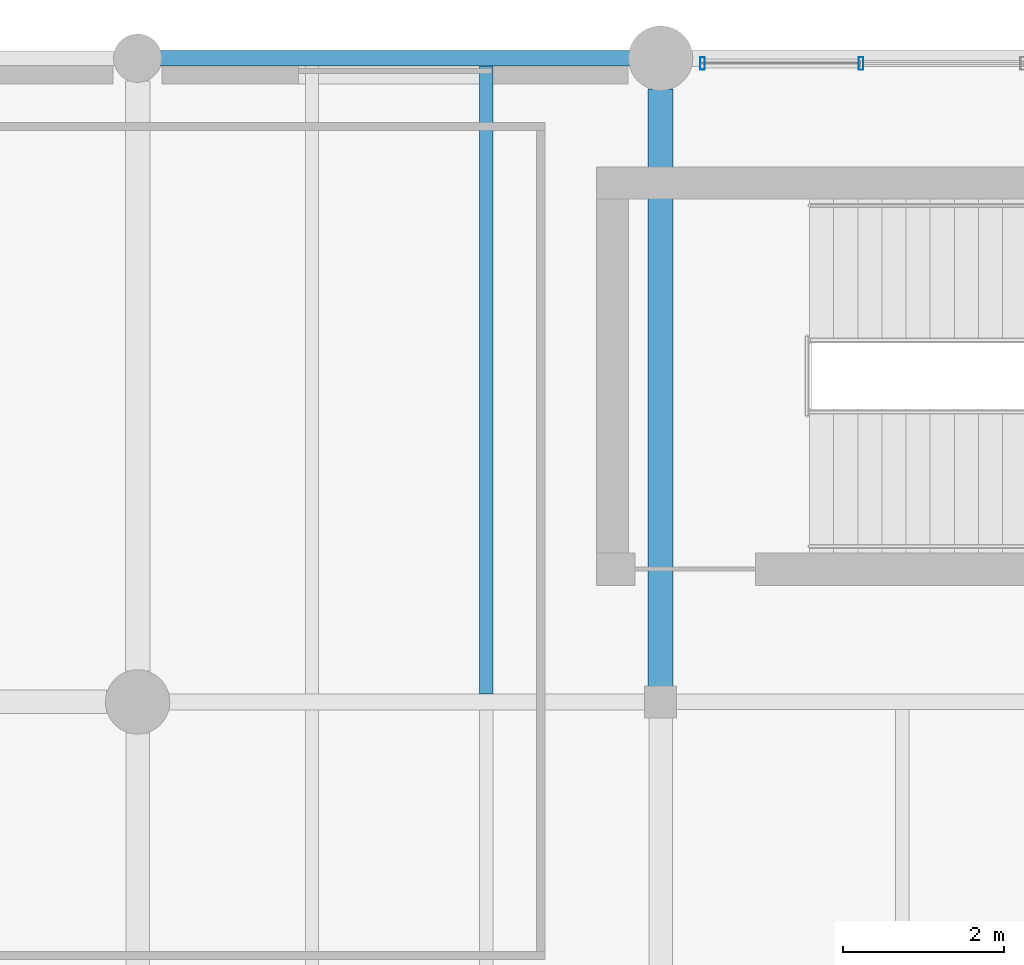
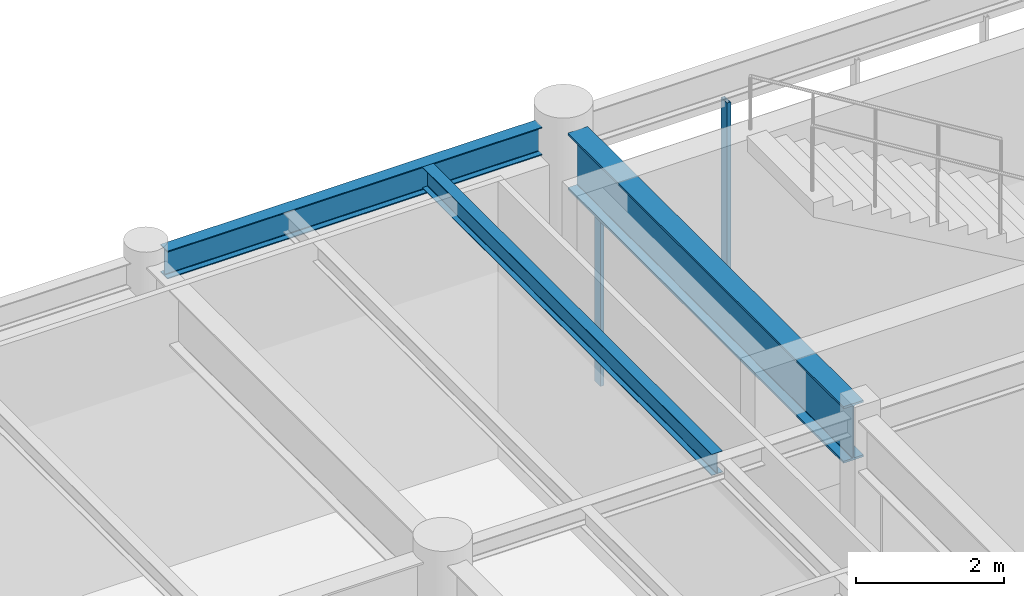
# One storey, part 71 of 200: 3 beams, 2 members, 1 element without a shape of its own.
"""IFC4 building model written with IfcOpenShell, lengths in metres."""

import ifcopenshell
import ifcopenshell.guid

model = None  # the IFC model being written
_history = None  # IfcOwnerHistory: only IFC2X3 demands one
_inside = {}  # id of a spatial element -> (the spatial element, [elements in it])
_under = {}  # id of a project, library or spatial element -> (it, [spatial elements below it])
_declared = {}  # id of a project -> (the project, [libraries it declares])
_typed = {}  # id of a type object -> (the type object, [elements of that type])
_made_of = {}  # id of a material, layer set ... -> (it, [elements and type objects made of it])


def new_model(schema):
    """Start an empty IFC model of exactly this schema.

    Asked for "IFC4X3", IfcOpenShell would pick the latest addendum, in which some entities
    have other attributes; the version numbers below select the first issue.
    IFC2X3 requires an IfcOwnerHistory on every rooted entity: one is made here for all.
    """
    global model, _history
    if schema == "IFC4X3":
        model = ifcopenshell.file(schema_version=(4, 3, 0, 0))
    else:
        model = ifcopenshell.file(schema=schema)
    _inside.clear()
    _under.clear()
    _declared.clear()
    _typed.clear()
    _made_of.clear()
    _history = None
    if model.schema == "IFC2X3":
        org = make("IfcOrganization", Name="unknown")
        user = make(
            "IfcPersonAndOrganization",
            ThePerson=make("IfcPerson", FamilyName="unknown"),
            TheOrganization=org,
        )
        app = make(
            "IfcApplication",
            ApplicationDeveloper=org,
            Version="unknown",
            ApplicationFullName="unknown",
            ApplicationIdentifier="unknown",
        )
        _history = make(
            "IfcOwnerHistory",
            OwningUser=user,
            OwningApplication=app,
            ChangeAction="ADDED",
            CreationDate=0,
        )
    return model


def make(cls, **values):
    """One entity of the class cls with the attributes given. An attribute that is None is left unset."""
    return model.create_entity(
        cls, **{name: value for name, value in values.items() if value is not None}
    )


def rooted(cls, **values):
    """An entity with a GlobalId (a new one), such as an element, a storey or a relation."""
    return make(cls, GlobalId=ifcopenshell.guid.new(), OwnerHistory=_history, **values)


def si_unit(unit_type, name, prefix=None):
    """IfcSIUnit, for example si_unit("LENGTHUNIT", "METRE", prefix="MILLI")."""
    return make("IfcSIUnit", UnitType=unit_type, Prefix=prefix, Name=name)


def assignment(units):
    """IfcUnitAssignment: the units of a project."""
    return None if units is None else make("IfcUnitAssignment", Units=units)


def point(xyz):
    """IfcCartesianPoint."""
    return None if xyz is None else make("IfcCartesianPoint", Coordinates=xyz)


def direction(xyz):
    """IfcDirection."""
    return None if xyz is None else make("IfcDirection", DirectionRatios=xyz)


def frame(location, z_axis=None, x_axis=None):
    """IfcAxis2Placement3D, a coordinate frame: its origin and axes. An axis left out is left unset."""
    return make(
        "IfcAxis2Placement3D",
        Location=point(location),
        Axis=direction(z_axis),
        RefDirection=direction(x_axis),
    )


def frame_2d(location, x_axis=None):
    """IfcAxis2Placement2D, a coordinate frame in the plane: its origin and x axis."""
    return make(
        "IfcAxis2Placement2D", Location=point(location), RefDirection=direction(x_axis)
    )


def origin():
    """The frame at (0, 0, 0) with its axes left unset."""
    return frame((0.0, 0.0, 0.0))


def origin_2d():
    """The frame at (0, 0) in the plane with its x axis left unset."""
    return frame_2d((0.0, 0.0))


def place(relative_to, where):
    """IfcLocalPlacement: puts the frame where relative to a parent placement (None: the world)."""
    return make(
        "IfcLocalPlacement", PlacementRelTo=relative_to, RelativePlacement=where
    )


def context(
    kind, dimensions, precision=None, world=None, true_north=None, identifier=None
):
    """IfcGeometricRepresentationContext, for example the 3D "Model" context."""
    return make(
        "IfcGeometricRepresentationContext",
        ContextIdentifier=identifier,
        ContextType=kind,
        CoordinateSpaceDimension=dimensions,
        Precision=precision,
        WorldCoordinateSystem=world,
        TrueNorth=true_north,
    )


def subcontext(parent, identifier, kind, view, scale=None):
    """IfcGeometricRepresentationSubContext, for example "Body" below "Model"."""
    return make(
        "IfcGeometricRepresentationSubContext",
        ContextIdentifier=identifier,
        ContextType=kind,
        ParentContext=parent,
        TargetScale=scale,
        TargetView=view,
    )


def project(units=None, contexts=None):
    """IfcProject with its units and contexts."""
    return rooted(
        "IfcProject",
        Name="project",
        RepresentationContexts=contexts,
        UnitsInContext=assignment(units),
    )


def spatial(cls, under=None, at=None, **own):
    """A site, building, storey or space (cls), placed at a placement, below another one or the project."""
    s = rooted(cls, ObjectPlacement=at, **own)
    if under is not None:
        _under.setdefault(under.id(), (under, []))[1].append(s)
    return s


def profile(cls, at=None, kind="AREA", **sizes):
    """A parametric profile (cls). Its sizes go by their IFC names, for example OverallWidth=200.0."""
    return make(cls, ProfileType=kind, Position=at, **sizes)


def hollow_rectangle(**sizes):
    """IfcRectangleHollowProfileDef."""
    return profile("IfcRectangleHollowProfileDef", **sizes)


def i_section(**sizes):
    """IfcIShapeProfileDef."""
    return profile("IfcIShapeProfileDef", **sizes)


def extrude(swept, where, along, depth):
    """IfcExtrudedAreaSolid: the profile swept, set in the frame where, extruded along a direction by depth."""
    return make(
        "IfcExtrudedAreaSolid",
        SweptArea=swept,
        Position=where,
        ExtrudedDirection=direction(along),
        Depth=depth,
    )


def shape(context_of_items, identifier, shape_type, items):
    """IfcShapeRepresentation: the items that make up one representation, for example the "Body"."""
    return make(
        "IfcShapeRepresentation",
        ContextOfItems=context_of_items,
        RepresentationIdentifier=identifier,
        RepresentationType=shape_type,
        Items=items,
    )


def material(Name=None, Category=None):
    """IfcMaterial."""
    return make("IfcMaterial", Name=Name, Category=Category)


def material_profile(
    of_material, cross_section, Name=None, Category=None, Priority=None
):
    """IfcMaterialProfile: a cross section and its material."""
    return make(
        "IfcMaterialProfile",
        Name=Name,
        Material=of_material,
        Profile=cross_section,
        Priority=Priority,
        Category=Category,
    )


def profile_set(profiles, Name=None, composite=None):
    """IfcMaterialProfileSet."""
    return make(
        "IfcMaterialProfileSet",
        Name=Name,
        MaterialProfiles=profiles,
        CompositeProfile=composite,
    )


def made_of(thing, what):
    """Note that an element or type object is made of a material, layer set ...; save() writes the relation."""
    if what is not None:
        _made_of.setdefault(what.id(), (what, []))[1].append(thing)
    return thing


def type_object(cls, material=None, **own):
    """A type object (cls), such as IfcWallType, which elements share."""
    return made_of(rooted(cls, **own), material)


def element(
    cls,
    number,
    at=None,
    inside=None,
    cuts=None,
    type_object=None,
    material=None,
    context=None,
    identifier="Body",
    shape_type=None,
    held_by="IfcProductDefinitionShape",
    body=None,
    shapes=None,
    **own,
):
    """One element of the class cls, such as IfcWall. Its Tag is "e" and its number.

    at: its placement. inside: the storey or other place that contains it. cuts: it is an
    opening in that element (IfcRelVoidsElement). A single representation is given by context,
    identifier, shape_type and body (its items); several are given by shapes. held_by: the class
    of the entity that holds the representations. save() writes the other relations.
    """
    e = rooted(cls, Tag="e%d" % number, ObjectPlacement=at, **own)
    if body is not None:
        shapes = [shape(context, identifier, shape_type, body)]
    if shapes is not None:
        e.Representation = make(held_by, Representations=shapes)
    if inside is not None:
        _inside.setdefault(inside.id(), (inside, []))[1].append(e)
    if cuts is not None:
        rooted(
            "IfcRelVoidsElement", RelatingBuildingElement=cuts, RelatedOpeningElement=e
        )
    if type_object is not None:
        _typed.setdefault(type_object.id(), (type_object, []))[1].append(e)
    return made_of(e, material)


def aggregate(whole, parts):
    """IfcRelAggregates: a whole, such as a stair, and the parts it consists of."""
    return rooted("IfcRelAggregates", RelatingObject=whole, RelatedObjects=parts)


def save(model, path):
    """Write the relations noted so far, then the file.

    IfcRelAggregates (storeys below a building ...), IfcRelContainedInSpatialStructure (elements
    in a storey), IfcRelDefinesByType, IfcRelAssociatesMaterial and IfcRelDeclares: one each for
    every whole, place, type object, material and project.
    """
    for whole, parts in _under.values():
        aggregate(whole, parts)
    for where, things in _inside.values():
        rooted(
            "IfcRelContainedInSpatialStructure",
            RelatedElements=things,
            RelatingStructure=where,
        )
    for kind, things in _typed.values():
        rooted("IfcRelDefinesByType", RelatedObjects=things, RelatingType=kind)
    for what, things in _made_of.values():
        rooted("IfcRelAssociatesMaterial", RelatedObjects=things, RelatingMaterial=what)
    for by, libraries in _declared.values():
        rooted("IfcRelDeclares", RelatingContext=by, RelatedDefinitions=libraries)
    model.write(path)


model = new_model("IFC4")

# Units and contexts
model_context = context("Model", 3, precision=1e-05, world=origin(), true_north=direction((0.0, 1.0)))
body_context = subcontext(model_context, "Body", "Model", "MODEL_VIEW")
ifc_project = project(units=[si_unit("LENGTHUNIT", "METRE"), si_unit("AREAUNIT", "SQUARE_METRE"), si_unit("VOLUMEUNIT", "CUBIC_METRE"), si_unit("PLANEANGLEUNIT", "RADIAN"), si_unit("MASSUNIT", "GRAM", prefix="KILO"), si_unit("THERMODYNAMICTEMPERATUREUNIT", "KELVIN"), si_unit("POWERUNIT", "WATT")], contexts=[model_context])

# Site, building, storey
site_placement = place(None, origin())
site = spatial("IfcSite", under=ifc_project, at=site_placement, CompositionType="ELEMENT")
building_placement = place(site_placement, origin())
building = spatial("IfcBuilding", under=site, at=building_placement, Name="Tepalcoro Natatorium and Aquatics Centre", CompositionType="ELEMENT")
storey_placement = place(building_placement, frame((0.0, 0.0, 5.39990234375)))
storey = spatial("IfcBuildingStorey", under=building, at=storey_placement, Name="L01", CompositionType="ELEMENT", Elevation=5.39990234375)

# Beam
ifc_material_1 = material(Name="Steel ASTM A992 Grade 50 (Fy 345 MPa)", Category="steel")
ifc_material_profile_1 = material_profile(ifc_material_1, i_section(OverallWidth=0.31005859375, OverallDepth=0.931884765625, WebThickness=0.02099609375, FlangeThickness=0.034912109375, FilletRadius=0.013916015625, at=origin_2d()), Name="W36X210")
ifc_profile_set_1 = profile_set([ifc_material_profile_1], Name="Steel ASTM A992 Grade 50 (Fy 345 MPa)")
beam_type_1 = type_object("IfcBeamType", Name="BM_W36x210", PredefinedType="BEAM", material=ifc_profile_set_1)
beam_1_placement = place(storey_placement, frame((53.0, 110.18505859375, 4.09912109375), z_axis=(0.0, 1.0, 0.0), x_axis=(-1.0, 0.0, 0.0)))
element("IfcBeam", 1, at=beam_1_placement, inside=storey, type_object=beam_type_1, Name="V4 L01 Grid Girder Y", PredefinedType="BEAM", context=body_context, shape_type="SweptSolid", body=[
    extrude(i_section(OverallWidth=0.31005859375, OverallDepth=0.931884765625, WebThickness=0.02099609375, FlangeThickness=0.034912109375, FilletRadius=0.013916015625, at=origin_2d()), origin(), (0.0, 0.0, 1.0), 7.429931640625),
])

# Curtain wall, members
ifc_material_2 = material(Name="Bronze-Anodised Extruded Aluminium Alloy EN AW-6063 T6", Category="aluminium")
curtain_wall_type = type_object("IfcCurtainWallType", Name="CW_V2_DIVING", PredefinedType="USERDEFINED", material=ifc_material_2)
curtain_wall_placement = place(storey_placement, origin())
curtain_wall = element("IfcCurtainWall", 2, at=curtain_wall_placement, inside=storey, type_object=curtain_wall_type, Name="V4 L01 N Unitised Curtain Wall Bay 6", ObjectType="FACETED SOLAR GLAZING", PredefinedType="USERDEFINED")
ifc_material_profile_2 = material_profile(ifc_material_2, hollow_rectangle(XDim=0.06005859375, YDim=0.159912109375, WallThickness=0.00390625, at=origin_2d()), Name="AL60X160X4")
ifc_profile_set_2 = profile_set([ifc_material_profile_2], Name="Bronze-Anodised Extruded Aluminium Alloy EN AW-6063 T6")
member_type = type_object("IfcMemberType", Name="CW_MUL_60x160", PredefinedType="MULLION", material=ifc_profile_set_2)
member_1_placement = place(storey_placement, frame((53.52001953125, 117.93505859375, 0.02001953125), z_axis=(0.0, 0.0, 1.0), x_axis=(1.0, 0.0, 0.0)))
member_1 = element("IfcMember", 3, at=member_1_placement, type_object=member_type, Name="CW_V2_DIVING Curtain Wall Mullion", PredefinedType="MULLION", context=body_context, shape_type="SweptSolid", body=[
    extrude(hollow_rectangle(XDim=0.06005859375, YDim=0.159912109375, WallThickness=0.00390625, at=origin_2d()), origin(), (0.0, 0.0, 1.0), 3.97412109375),
])
member_2_placement = place(storey_placement, frame((55.489990234375, 117.93505859375, 0.02001953125), z_axis=(0.0, 0.0, 1.0), x_axis=(1.0, 0.0, 0.0)))
member_2 = element("IfcMember", 4, at=member_2_placement, type_object=member_type, Name="CW_V2_DIVING Curtain Wall Mullion", PredefinedType="MULLION", context=body_context, shape_type="SweptSolid", body=[
    extrude(hollow_rectangle(XDim=0.06005859375, YDim=0.159912109375, WallThickness=0.00390625, at=origin_2d()), origin(), (0.0, 0.0, 1.0), 3.97412109375),
])
aggregate(curtain_wall, [member_1, member_2])

# Beams
ifc_material_profile_3 = material_profile(ifc_material_1, i_section(OverallWidth=0.1708984375, OverallDepth=0.35107421875, WebThickness=0.007080078125, FlangeThickness=0.010009765625, FilletRadius=0.013916015625, at=origin_2d()), Name="W14X30")
ifc_profile_set_3 = profile_set([ifc_material_profile_3], Name="Steel ASTM A992 Grade 50 (Fy 345 MPa)")
beam_type_2 = type_object("IfcBeamType", Name="JS_W14x30", PredefinedType="JOIST", material=ifc_profile_set_3)
beam_2_placement = place(storey_placement, frame((50.833251953125, 110.1015625, 4.3896484375), z_axis=(0.0, 1.0, 0.0), x_axis=(-1.0, 0.0, 0.0)))
element("IfcBeam", 5, at=beam_2_placement, inside=storey, type_object=beam_type_2, Name="V4 L01 Floor Joist", PredefinedType="JOIST", context=body_context, shape_type="SweptSolid", body=[
    extrude(i_section(OverallWidth=0.1708984375, OverallDepth=0.35107421875, WebThickness=0.007080078125, FlangeThickness=0.010009765625, FilletRadius=0.013916015625, at=origin_2d()), origin(), (0.0, 0.0, 1.0), 7.802978515625),
])
ifc_material_profile_4 = material_profile(ifc_material_1, i_section(OverallWidth=0.19091796875, OverallDepth=0.4599609375, WebThickness=0.010009765625, FlangeThickness=0.01611328125, FilletRadius=0.013916015625, at=origin_2d()), Name="W18X55")
ifc_profile_set_4 = profile_set([ifc_material_profile_4], Name="Steel ASTM A992 Grade 50 (Fy 345 MPa)")
beam_type_3 = type_object("IfcBeamType", Name="SP_W18x55", PredefinedType="SPANDREL", material=ifc_profile_set_4)
beam_3_placement = place(storey_placement, frame((46.784912109375, 118.0, 4.335205078125), z_axis=(1.0, 0.0, 0.0), x_axis=(0.0, 1.0, 0.0)))
element("IfcBeam", 6, at=beam_3_placement, inside=storey, type_object=beam_type_3, Name="V4 L01 Grid Girder X", PredefinedType="SPANDREL", context=body_context, shape_type="SweptSolid", body=[
    extrude(i_section(OverallWidth=0.19091796875, OverallDepth=0.4599609375, WebThickness=0.010009765625, FlangeThickness=0.01611328125, FilletRadius=0.013916015625, at=origin_2d()), origin(), (0.0, 0.0, 1.0), 5.830078125),
])

save(model, "model.ifc")
